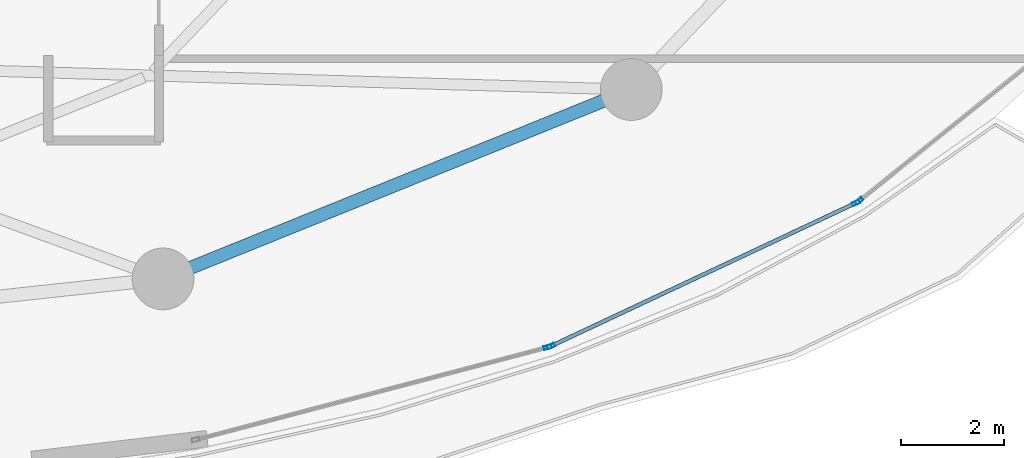
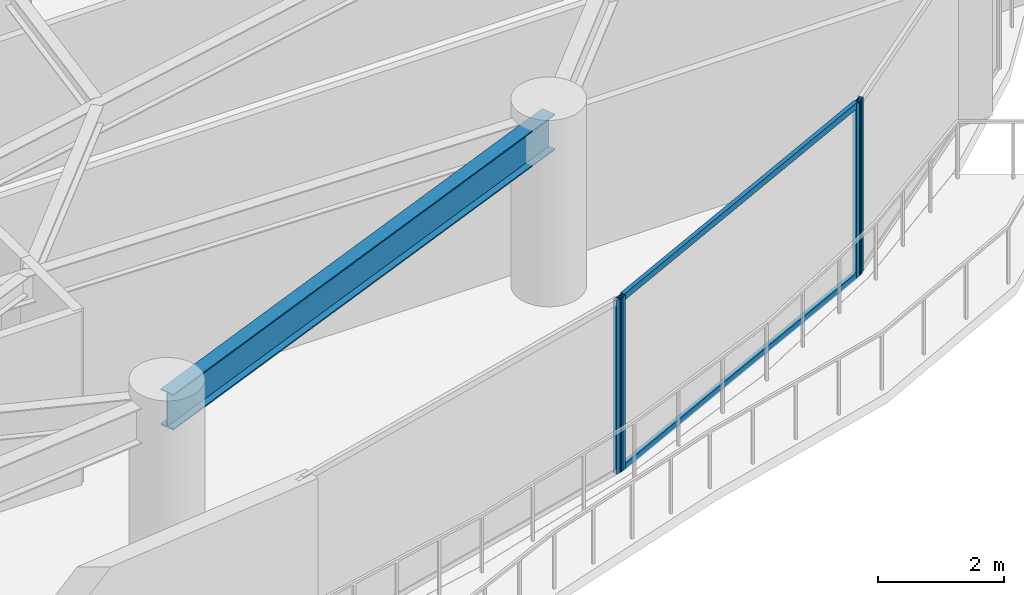
# One storey, part 14 of 33: 6 members, 1 beam, 3 elements without a shape of their own.
"""IFC4 building model written with IfcOpenShell, lengths in metres."""

from ifc_helpers import new_model, si_unit, direction, frame, origin, origin_2d, place, context, subcontext, project, spatial, hollow_rectangle, i_section, extrude, material, layer, layer_set, material_profile, profile_set, type_object, element, aggregate, save


model = new_model("IFC4")

# Units and contexts
model_context = context("Model", 3, precision=1e-05, world=origin(), true_north=direction((0.0, 1.0)))
body_context = subcontext(model_context, "Body", "Model", "MODEL_VIEW")
ifc_project = project(units=[si_unit("LENGTHUNIT", "METRE"), si_unit("AREAUNIT", "SQUARE_METRE"), si_unit("VOLUMEUNIT", "CUBIC_METRE"), si_unit("PLANEANGLEUNIT", "RADIAN"), si_unit("MASSUNIT", "GRAM", prefix="KILO")], contexts=[model_context])

# Site, building, storey
site_placement = place(None, origin())
site = spatial("IfcSite", under=ifc_project, at=site_placement, CompositionType="ELEMENT")
building_placement = place(site_placement, origin())
building = spatial("IfcBuilding", under=site, at=building_placement, Name="Kazevale Care Tower and Concert Hall", CompositionType="ELEMENT")
storey_placement = place(building_placement, frame((0.0, 0.0, 145.800048828125)))
storey = spatial("IfcBuildingStorey", under=building, at=storey_placement, Name="L38", CompositionType="ELEMENT", Elevation=145.800048828125)

# Curtain wall, member
ifc_material_1 = material(Name="Aluminium 6063-T6 and Low-E Glass", Category="aluminium")
ifc_layer = layer(ifc_material_1, 0.179931640625)
ifc_layer_set = layer_set([ifc_layer], Name="Aluminium 6063-T6 and Low-E Glass")
curtain_wall_type = type_object("IfcCurtainWallType", Name="Sheltered Concave Balcony Curtain Wall CW-5", PredefinedType="NOTDEFINED", material=ifc_layer_set)
curtain_wall_1_placement = place(storey_placement, origin())
curtain_wall_1 = element("IfcCurtainWall", 1, at=curtain_wall_1_placement, inside=storey, type_object=curtain_wall_type, Name="cw:L38:f02", PredefinedType="NOTDEFINED")
ifc_material_2 = material(Name="Aluminium 6063-T6", Category="aluminium")
ifc_material_profile_1 = material_profile(ifc_material_2, hollow_rectangle(XDim=0.074951171875, YDim=0.14990234375, WallThickness=0.00390625, at=origin_2d()), Name="ALU75x150x4")
ifc_profile_set_1 = profile_set([ifc_material_profile_1], Name="Aluminium 6063-T6")
member_type_1 = type_object("IfcMemberType", Name="CW-5 Mullion ALU75x150x4", PredefinedType="MULLION", material=ifc_profile_set_1)
member_1_placement = place(storey_placement, frame((69.25927734375, 20.826416015625, 0.0), z_axis=(0.0, 0.0, 1.0), x_axis=(0.626905357502, -0.779095419531, 0.0)))
member_1 = element("IfcMember", 2, at=member_1_placement, type_object=member_type_1, Name="CW-5 mullion 2", PredefinedType="MULLION", context=body_context, shape_type="SweptSolid", body=[
    extrude(hollow_rectangle(XDim=0.074951171875, YDim=0.14990234375, WallThickness=0.00390625, at=origin_2d()), origin(), (0.0, 0.0, 1.0), 3.35986328125),
])
aggregate(curtain_wall_1, [member_1])

# Curtain wall, members
curtain_wall_2_placement = place(storey_placement, origin())
curtain_wall_2 = element("IfcCurtainWall", 3, at=curtain_wall_2_placement, inside=storey, type_object=curtain_wall_type, Name="cw:L38:f03", PredefinedType="NOTDEFINED")
member_2_placement = place(storey_placement, frame((69.196044921875, 20.787109375, 0.0), z_axis=(0.0, 0.0, 1.0), x_axis=(0.425010766963, -0.905188294205, 0.0)))
member_2 = element("IfcMember", 4, at=member_2_placement, type_object=member_type_1, Name="CW-5 mullion 1", PredefinedType="MULLION", context=body_context, shape_type="SweptSolid", body=[
    extrude(hollow_rectangle(XDim=0.074951171875, YDim=0.14990234375, WallThickness=0.00390625, at=origin_2d()), origin(), (0.0, 0.0, 1.0), 3.35986328125),
])
member_3_placement = place(storey_placement, frame((63.27490234375, 18.0068359375, 0.0), z_axis=(0.0, 0.0, 1.0), x_axis=(0.425010766963, -0.905188294205, 0.0)))
member_3 = element("IfcMember", 5, at=member_3_placement, type_object=member_type_1, Name="CW-5 mullion 2", PredefinedType="MULLION", context=body_context, shape_type="SweptSolid", body=[
    extrude(hollow_rectangle(XDim=0.074951171875, YDim=0.14990234375, WallThickness=0.00390625, at=origin_2d()), origin(), (0.0, 0.0, 1.0), 3.35986328125),
])

# Curtain wall, member
curtain_wall_3_placement = place(storey_placement, origin())
curtain_wall_3 = element("IfcCurtainWall", 6, at=curtain_wall_3_placement, inside=storey, type_object=curtain_wall_type, Name="cw:L38:f04", PredefinedType="NOTDEFINED")
member_4_placement = place(storey_placement, frame((63.204833984375, 17.9814453125, 0.0), z_axis=(0.0, 0.0, 1.0), x_axis=(0.254238458229, -0.967141564797, 0.0)))
member_4 = element("IfcMember", 7, at=member_4_placement, type_object=member_type_1, Name="CW-5 mullion 1", PredefinedType="MULLION", context=body_context, shape_type="SweptSolid", body=[
    extrude(hollow_rectangle(XDim=0.074951171875, YDim=0.14990234375, WallThickness=0.00390625, at=origin_2d()), origin(), (0.0, 0.0, 1.0), 3.35986328125),
])
aggregate(curtain_wall_3, [member_4])

# Member
ifc_material_profile_2 = material_profile(ifc_material_2, hollow_rectangle(XDim=0.074951171875, YDim=0.1201171875, WallThickness=0.00390625, at=origin_2d()), Name="ALU75x120x4")
ifc_profile_set_2 = profile_set([ifc_material_profile_2], Name="Aluminium 6063-T6")
member_type_2 = type_object("IfcMemberType", Name="CW-5 Transom ALU75x120x4", PredefinedType="USERDEFINED", material=ifc_profile_set_2)
member_5_placement = place(storey_placement, frame((69.162109375, 20.771240234375, 0.037353515625), z_axis=(-0.90518714704, -0.425013210187, 0.0), x_axis=(0.425013210187, -0.90518714704, 0.0)))
member_5 = element("IfcMember", 8, at=member_5_placement, type_object=member_type_2, Name="CW-5 transom 1.1", ObjectType="TRANSOM", PredefinedType="USERDEFINED", context=body_context, shape_type="SweptSolid", body=[
    extrude(hollow_rectangle(XDim=0.074951171875, YDim=0.1201171875, WallThickness=0.00390625, at=origin_2d()), origin(), (0.0, 0.0, 1.0), 6.46630859375),
])

member_6_placement = place(storey_placement, frame((69.162109375, 20.771240234375, 3.322509765625), z_axis=(-0.90518714704, -0.425013210187, 0.0), x_axis=(0.425013210187, -0.90518714704, 0.0)))
member_6 = element("IfcMember", 9, at=member_6_placement, type_object=member_type_2, Name="CW-5 transom 1.2", ObjectType="TRANSOM", PredefinedType="USERDEFINED", context=body_context, shape_type="SweptSolid", body=[
    extrude(hollow_rectangle(XDim=0.074951171875, YDim=0.1201171875, WallThickness=0.00390625, at=origin_2d()), origin(), (0.0, 0.0, 1.0), 6.46630859375),
])

aggregate(curtain_wall_2, [member_2, member_3, member_5, member_6])

# Beam
ifc_material_3 = material(Name="Steel ASTM A572 Gr 50", Category="steel")
ifc_material_profile_3 = material_profile(ifc_material_3, i_section(OverallWidth=0.256103515625, OverallDepth=0.693115234375, WebThickness=0.014404296875, FlangeThickness=0.023681640625, at=origin_2d()), Name="W690x170")
ifc_profile_set_3 = profile_set([ifc_material_profile_3], Name="Steel ASTM A572 Gr 50")
beam_type = type_object("IfcBeamType", Name="Waist Ring Beam W690x170", PredefinedType="BEAM", material=ifc_profile_set_3)
beam_placement = place(storey_placement, frame((55.72998046875, 19.31005859375, 3.013427734375), z_axis=(0.927068687828, 0.374891515041, 0.0), x_axis=(-0.374891515041, 0.927068687828, 0.0)))
element("IfcBeam", 10, at=beam_placement, inside=storey, type_object=beam_type, Name="beam:L38:ring:14", PredefinedType="BEAM", context=body_context, shape_type="SweptSolid", body=[
    extrude(i_section(OverallWidth=0.256103515625, OverallDepth=0.693115234375, WebThickness=0.014404296875, FlangeThickness=0.023681640625, at=origin_2d()), origin(), (0.0, 0.0, 1.0), 9.81591796875),
])

save(model, "model.ifc")
